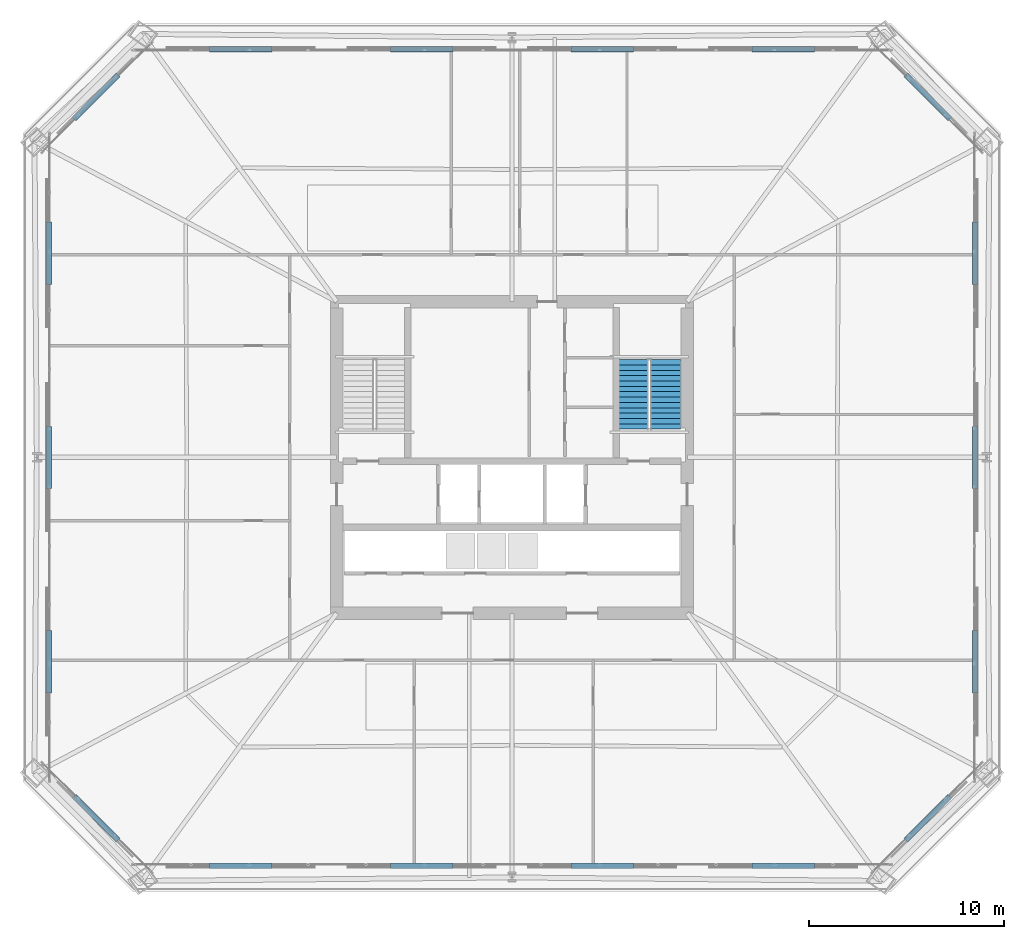
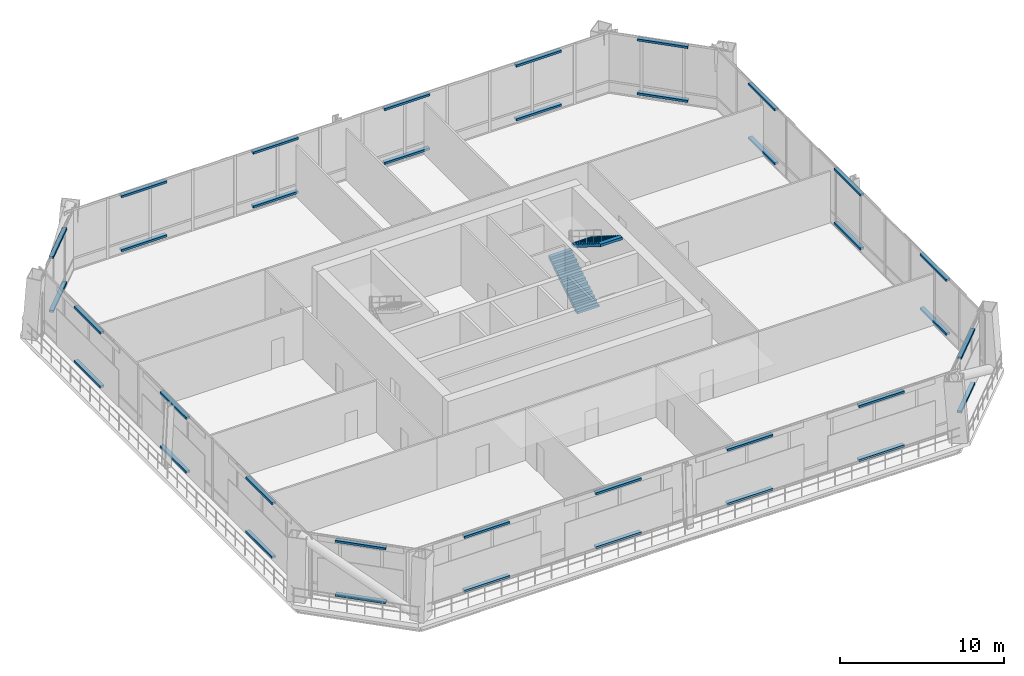
# One storey, part 44 of 48: 36 discrete accessories, 2 stair flights, 1 element without a shape of its own.
"""IFC4 building model written with IfcOpenShell, lengths in metres."""

from ifc_helpers import new_model, si_unit, direction, frame, origin, origin_2d, place, context, subcontext, project, spatial, polyline, rectangle, outline, extrude, material, type_object, element, aggregate, save


model = new_model("IFC4")

# Units and contexts
model_context = context("Model", 3, precision=1e-05, world=origin(), true_north=direction((0.0, 1.0)))
body_context = subcontext(model_context, "Body", "Model", "MODEL_VIEW")
ifc_project = project(units=[si_unit("LENGTHUNIT", "METRE"), si_unit("AREAUNIT", "SQUARE_METRE"), si_unit("VOLUMEUNIT", "CUBIC_METRE"), si_unit("PLANEANGLEUNIT", "RADIAN"), si_unit("MASSUNIT", "GRAM", prefix="KILO")], contexts=[model_context])

# Site, building, storey
site_placement = place(None, origin())
site = spatial("IfcSite", under=ifc_project, at=site_placement, CompositionType="ELEMENT")
building_placement = place(site_placement, origin())
building = spatial("IfcBuilding", under=site, at=building_placement, Name="Caelvoria Tower", CompositionType="ELEMENT")
storey_placement = place(building_placement, frame((0.0, 0.0, 90.39990234375)))
storey = spatial("IfcBuildingStorey", under=building, at=storey_placement, Name="L23", CompositionType="ELEMENT", Elevation=90.39990234375)

# Stair, stair flights
ifc_material_1 = material(Name="Concrete C40/50", Category="concrete")
stair_type = type_object("IfcStairType", Name="Core Smokeproof Dogleg Stair Concrete C40/50", PredefinedType="HALF_TURN_STAIR", material=ifc_material_1)
stair_placement = place(storey_placement, origin())
stair = element("IfcStair", 1, at=stair_placement, inside=storey, type_object=stair_type, Name="ST-02 Smokeproof Exit Stair L23", PredefinedType="HALF_TURN_STAIR")
ifc_material_2 = material(Name="Precast Concrete C40/50", Category="concrete")
stair_flight_type = type_object("IfcStairFlightType", Name="Precast Concrete C40/50 Stair Flight 1480", PredefinedType="STRAIGHT", material=ifc_material_2)
stair_flight_1_placement = place(storey_placement, frame((52.22998046875, 33.449951171875, 0.0), z_axis=(0.0, 0.0, 1.0), x_axis=(0.0, 1.0, 0.0)))
stair_flight_1 = element("IfcStairFlight", 2, at=stair_flight_1_placement, type_object=stair_flight_type, Name="ST-02 flight 1", NumberOfRisers=14, NumberOfTreads=13, PredefinedType="STRAIGHT", RiserHeight=0.1714, TreadLength=0.275, context=body_context, shape_type="SweptSolid", body=[
    extrude(outline(polyline([(0.0, 0.0), (0.0, 0.17138671875), (0.27490234375, 0.17138671875), (0.27490234375, 0.3427734375), (0.550048828125, 0.3427734375), (0.550048828125, 0.51416015625), (0.824951171875, 0.51416015625), (0.824951171875, 0.685546875), (1.10009765625, 0.685546875), (1.10009765625, 0.85693359375), (1.375, 0.85693359375), (1.375, 1.0283203125), (1.64990234375, 1.0283203125), (1.64990234375, 1.19970703125), (1.925048828125, 1.19970703125), (1.925048828125, 1.37109375), (2.199951171875, 1.37109375), (2.199951171875, 1.54248046875), (2.47509765625, 1.54248046875), (2.47509765625, 1.714111328125), (2.75, 1.714111328125), (2.75, 1.885498046875), (3.02490234375, 1.885498046875), (3.02490234375, 2.056884765625), (3.300048828125, 2.056884765625), (3.300048828125, 2.228271484375), (3.574951171875, 2.228271484375), (3.574951171875, 2.399658203125), (3.574951171875, 2.039794921875), (0.30224609375, 0.0), (0.0, 0.0)])), frame((0.0, 0.77001953125, 0.0), z_axis=(0.0, -1.0, 0.0), x_axis=(1.0, 0.0, 0.0)), (0.0, 0.0, 1.0), 1.5400390625),
])
stair_flight_2_placement = place(storey_placement, frame((53.8701171875, 37.02490234375, 2.400146484375), z_axis=(0.0, 0.0, 1.0), x_axis=(0.0, -1.0, 0.0)))
stair_flight_2 = element("IfcStairFlight", 3, at=stair_flight_2_placement, type_object=stair_flight_type, Name="ST-02 flight 2", NumberOfRisers=14, NumberOfTreads=13, PredefinedType="STRAIGHT", RiserHeight=0.1714, TreadLength=0.275, context=body_context, shape_type="SweptSolid", body=[
    extrude(outline(polyline([(0.0, 0.0), (0.0, 0.17138671875), (0.27490234375, 0.17138671875), (0.27490234375, 0.3427734375), (0.550048828125, 0.3427734375), (0.550048828125, 0.51416015625), (0.824951171875, 0.51416015625), (0.824951171875, 0.685546875), (1.10009765625, 0.685546875), (1.10009765625, 0.85693359375), (1.375, 0.85693359375), (1.375, 1.0283203125), (1.64990234375, 1.0283203125), (1.64990234375, 1.19970703125), (1.925048828125, 1.19970703125), (1.925048828125, 1.37109375), (2.199951171875, 1.37109375), (2.199951171875, 1.54248046875), (2.47509765625, 1.54248046875), (2.47509765625, 1.714111328125), (2.75, 1.714111328125), (2.75, 1.885498046875), (3.02490234375, 1.885498046875), (3.02490234375, 2.056884765625), (3.300048828125, 2.056884765625), (3.300048828125, 2.228271484375), (3.574951171875, 2.228271484375), (3.574951171875, 2.399658203125), (3.574951171875, 2.039794921875), (0.30224609375, 0.0), (0.0, 0.0)])), frame((0.0, 0.77001953125, 0.0), z_axis=(0.0, -1.0, 0.0), x_axis=(1.0, 0.0, 0.0)), (0.0, 0.0, 1.0), 1.5400390625),
])
aggregate(stair, [stair_flight_1, stair_flight_2])

# Discrete accessories
ifc_material_3 = material(Name="Anodised Bronze Stainless Bracket", Category="bronze")
discrete_accessory_type = type_object("IfcDiscreteAccessoryType", Name="Solar Screen Outrigger Support Bracket", PredefinedType="BRACKET", material=ifc_material_3)
for number, where, z_axis, x_axis, name in (
    (4, (32.074951171875, 11.047119140625, 0.240234375), (0.0, 0.0, 1.0), (1.0, 0.0, 0.0), "Solar Screen Bracket L23-E0-00"),
    (5, (32.074951171875, 11.047119140625, 4.26025390625), (0.0, 0.0, 1.0), (1.0, 0.0, 0.0), "Upper Screen Band Bracket L23-E0-00"),
    (6, (41.3583984375, 11.047119140625, 0.240234375), (0.0, 0.0, 1.0), (1.0, 0.0, 0.0), "Solar Screen Bracket L23-E0-01"),
    (7, (41.3583984375, 11.047119140625, 4.26025390625), (0.0, 0.0, 1.0), (1.0, 0.0, 0.0), "Upper Screen Band Bracket L23-E0-01"),
    (8, (50.6416015625, 11.047119140625, 0.240234375), (0.0, 0.0, 1.0), (1.0, 0.0, 0.0), "Solar Screen Bracket L23-E0-02"),
    (9, (50.6416015625, 11.047119140625, 4.26025390625), (0.0, 0.0, 1.0), (1.0, 0.0, 0.0), "Upper Screen Band Bracket L23-E0-02"),
    (10, (59.925048828125, 11.047119140625, 0.240234375), (0.0, 0.0, 1.0), (1.0, 0.0, 0.0), "Solar Screen Bracket L23-E0-03"),
    (11, (59.925048828125, 11.047119140625, 4.26025390625), (0.0, 0.0, 1.0), (1.0, 0.0, 0.0), "Upper Screen Band Bracket L23-E0-03"),
    (12, (67.350830078125, 13.482421875, 0.240234375), (0.0, 0.0, 1.0), (0.707106781187, 0.707106781187, 0.0), "Solar Screen Bracket L23-E1-00"),
    (13, (67.350830078125, 13.482421875, 4.26025390625), (0.0, 0.0, 1.0), (0.707106781187, 0.707106781187, 0.0), "Upper Screen Band Bracket L23-E1-00"),
    (14, (69.7861328125, 21.510986328125, 0.240234375), (0.0, 0.0, 1.0), (0.0, 1.0, 0.0), "Solar Screen Bracket L23-E2-00"),
    (15, (69.7861328125, 21.510986328125, 4.26025390625), (0.0, 0.0, 1.0), (0.0, 1.0, 0.0), "Upper Screen Band Bracket L23-E2-00"),
    (16, (69.7861328125, 32.0, 0.240234375), (0.0, 0.0, 1.0), (0.0, 1.0, 0.0), "Solar Screen Bracket L23-E2-01"),
    (17, (69.7861328125, 32.0, 4.26025390625), (0.0, 0.0, 1.0), (0.0, 1.0, 0.0), "Upper Screen Band Bracket L23-E2-01"),
    (18, (69.7861328125, 42.489013671875, 0.240234375), (0.0, 0.0, 1.0), (0.0, 1.0, 0.0), "Solar Screen Bracket L23-E2-02"),
    (19, (69.7861328125, 42.489013671875, 4.26025390625), (0.0, 0.0, 1.0), (0.0, 1.0, 0.0), "Upper Screen Band Bracket L23-E2-02"),
    (20, (67.350830078125, 50.517578125, 0.240234375), (0.0, 0.0, 1.0), (-0.707106781187, 0.707106781187, 0.0), "Solar Screen Bracket L23-E3-00"),
    (21, (67.350830078125, 50.517578125, 4.26025390625), (0.0, 0.0, 1.0), (-0.707106781187, 0.707106781187, 0.0), "Upper Screen Band Bracket L23-E3-00"),
    (22, (59.925048828125, 52.952880859375, 0.240234375), (0.0, 0.0, 1.0), (-1.0, 0.0, 0.0), "Solar Screen Bracket L23-E4-00"),
    (23, (59.925048828125, 52.952880859375, 4.26025390625), (0.0, 0.0, 1.0), (-1.0, 0.0, 0.0), "Upper Screen Band Bracket L23-E4-00"),
    (24, (50.6416015625, 52.952880859375, 0.240234375), (0.0, 0.0, 1.0), (-1.0, 0.0, 0.0), "Solar Screen Bracket L23-E4-01"),
    (25, (50.6416015625, 52.952880859375, 4.26025390625), (0.0, 0.0, 1.0), (-1.0, 0.0, 0.0), "Upper Screen Band Bracket L23-E4-01"),
    (26, (41.3583984375, 52.952880859375, 0.240234375), (0.0, 0.0, 1.0), (-1.0, 0.0, 0.0), "Solar Screen Bracket L23-E4-02"),
    (27, (41.3583984375, 52.952880859375, 4.26025390625), (0.0, 0.0, 1.0), (-1.0, 0.0, 0.0), "Upper Screen Band Bracket L23-E4-02"),
    (28, (32.074951171875, 52.952880859375, 0.240234375), (0.0, 0.0, 1.0), (-1.0, 0.0, 0.0), "Solar Screen Bracket L23-E4-03"),
    (29, (32.074951171875, 52.952880859375, 4.26025390625), (0.0, 0.0, 1.0), (-1.0, 0.0, 0.0), "Upper Screen Band Bracket L23-E4-03"),
    (30, (24.649169921875, 50.517578125, 0.240234375), (0.0, 0.0, 1.0), (-0.707106781187, -0.707106781187, 0.0), "Solar Screen Bracket L23-E5-00"),
    (31, (24.649169921875, 50.517578125, 4.26025390625), (0.0, 0.0, 1.0), (-0.707106781187, -0.707106781187, 0.0), "Upper Screen Band Bracket L23-E5-00"),
    (32, (22.2138671875, 42.489013671875, 0.240234375), (0.0, 0.0, 1.0), (0.0, -1.0, 0.0), "Solar Screen Bracket L23-E6-00"),
    (33, (22.2138671875, 42.489013671875, 4.26025390625), (0.0, 0.0, 1.0), (0.0, -1.0, 0.0), "Upper Screen Band Bracket L23-E6-00"),
    (34, (22.2138671875, 32.0, 0.240234375), (0.0, 0.0, 1.0), (0.0, -1.0, 0.0), "Solar Screen Bracket L23-E6-01"),
    (35, (22.2138671875, 32.0, 4.26025390625), (0.0, 0.0, 1.0), (0.0, -1.0, 0.0), "Upper Screen Band Bracket L23-E6-01"),
    (36, (22.2138671875, 21.510986328125, 0.240234375), (0.0, 0.0, 1.0), (0.0, -1.0, 0.0), "Solar Screen Bracket L23-E6-02"),
    (37, (22.2138671875, 21.510986328125, 4.26025390625), (0.0, 0.0, 1.0), (0.0, -1.0, 0.0), "Upper Screen Band Bracket L23-E6-02"),
    (38, (24.649169921875, 13.482421875, 0.240234375), (0.0, 0.0, 1.0), (0.707106781187, -0.707106781187, 0.0), "Solar Screen Bracket L23-E7-00"),
    (39, (24.649169921875, 13.482421875, 4.26025390625), (0.0, 0.0, 1.0), (0.707106781187, -0.707106781187, 0.0), "Upper Screen Band Bracket L23-E7-00"),
):
    element("IfcDiscreteAccessory", number, at=place(storey_placement, frame(where, z_axis=z_axis, x_axis=x_axis)), inside=storey, type_object=discrete_accessory_type, Name=name, PredefinedType="BRACKET", context=body_context, shape_type="SweptSolid", body=[
        extrude(rectangle(XDim=3.199951171875, YDim=0.280029296875, at=origin_2d()), origin(), (0.0, 0.0, 1.0), 0.159912109375),
    ])

save(model, "model.ifc")
